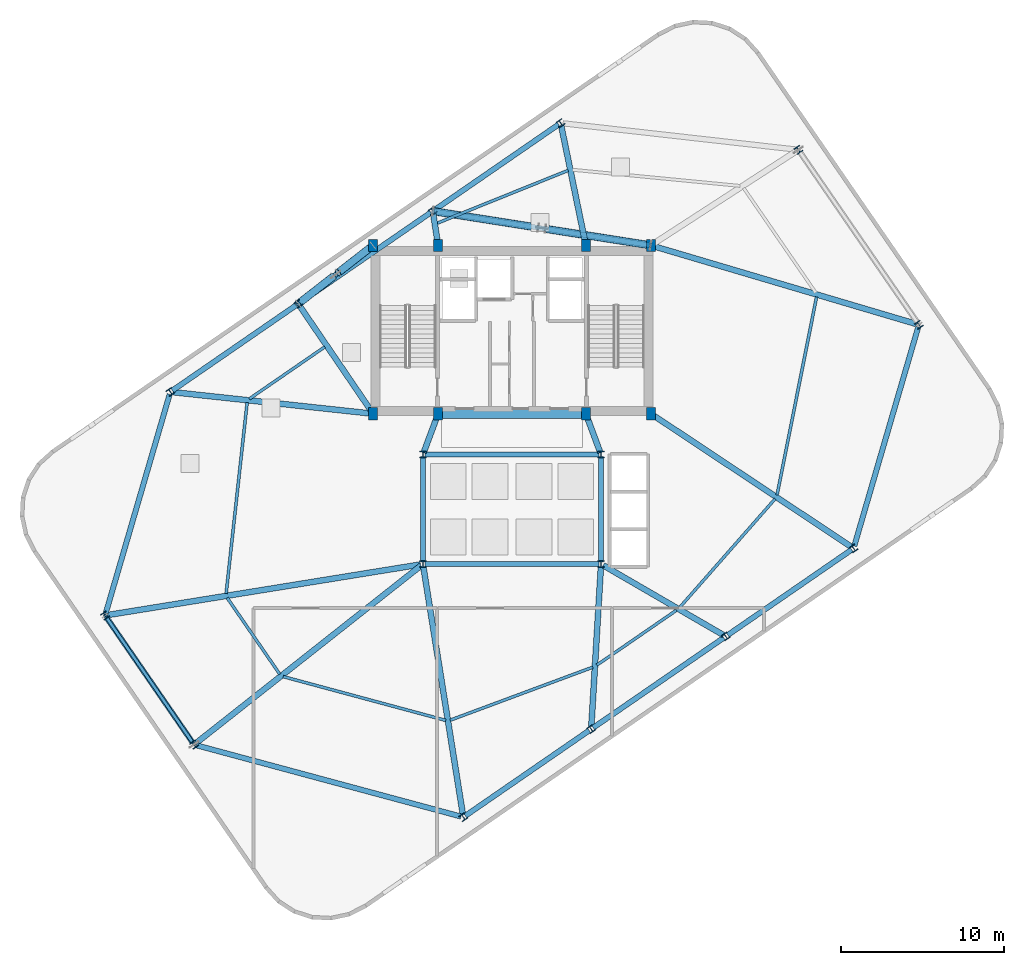
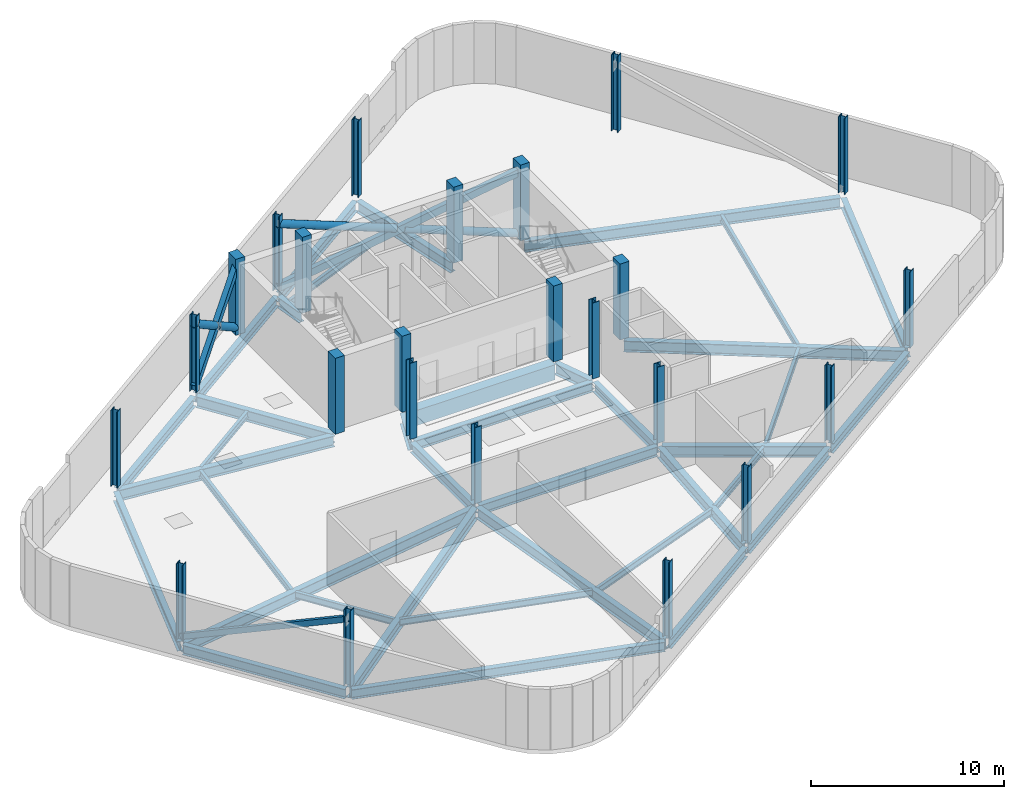
# One storey, part 1 of 9: 37 beams, 24 columns, 7 members.
"""IFC4 building model written with IfcOpenShell, lengths in metres."""

from ifc_helpers import new_model, si_unit, direction, frame, origin, origin_2d, place, context, subcontext, project, spatial, rectangle, hollow_rectangle, hollow_circle, i_section, extrude, material, material_profile, profile_set, type_object, element, save


model = new_model("IFC4")

# Units and contexts
model_context = context("Model", 3, precision=1e-05, world=origin(), true_north=direction((0.0, 1.0)))
body_context = subcontext(model_context, "Body", "Model", "MODEL_VIEW")
ifc_project = project(units=[si_unit("LENGTHUNIT", "METRE"), si_unit("AREAUNIT", "SQUARE_METRE"), si_unit("VOLUMEUNIT", "CUBIC_METRE"), si_unit("PLANEANGLEUNIT", "RADIAN"), si_unit("MASSUNIT", "GRAM", prefix="KILO")], contexts=[model_context])

# Site, building, storey
site_placement = place(None, origin())
site = spatial("IfcSite", under=ifc_project, at=site_placement, CompositionType="ELEMENT")
building_placement = place(site_placement, origin())
building = spatial("IfcBuilding", under=site, at=building_placement, Name="Varnelok Gate Tower", CompositionType="ELEMENT")
storey_placement = place(building_placement, frame((0.0, 0.0, 301.10009765625)))
storey = spatial("IfcBuildingStorey", under=building, at=storey_placement, Name="L77", CompositionType="ELEMENT", Elevation=301.10009765625)

# Columns
ifc_material_1 = material(Name="Concrete C50/60", Category="concrete")
ifc_material_profile_1 = material_profile(ifc_material_1, rectangle(XDim=0.550048828125, YDim=0.75, at=origin_2d()), Name="RC750X550")
ifc_profile_set_1 = profile_set([ifc_material_profile_1], Name="Concrete C50/60")
column_type_1 = type_object("IfcColumnType", Name="COL-RC750X550", PredefinedType="COLUMN", material=ifc_profile_set_1)
for number, where, z_axis, x_axis, name in (
    (1, (30.699951171875, 28.75, 0.0), (0.0, 0.0, 1.0), (1.0, 0.0, 0.0), "L77 Core Spine Column SC1"),
    (2, (34.679931640625, 28.75, 0.0), (0.0, 0.0, 1.0), (1.0, 0.0, 0.0), "L77 Core Spine Column SC2"),
    (3, (43.719970703125, 28.75, 0.0), (0.0, 0.0, 1.0), (1.0, 0.0, 0.0), "L77 Core Spine Column SC3"),
    (4, (47.699951171875, 28.75, 0.0), (0.0, 0.0, 1.0), (1.0, 0.0, 0.0), "L77 Core Spine Column SC4"),
    (5, (30.699951171875, 39.050048828125, 0.0), (0.0, 0.0, 1.0), (1.0, 0.0, 0.0), "L77 Core Spine Column SC5"),
    (6, (34.679931640625, 39.050048828125, 0.0), (0.0, 0.0, 1.0), (1.0, 0.0, 0.0), "L77 Core Spine Column SC6"),
    (7, (43.719970703125, 39.050048828125, 0.0), (0.0, 0.0, 1.0), (1.0, 0.0, 0.0), "L77 Core Spine Column SC7"),
    (8, (47.699951171875, 39.050048828125, 0.0), (0.0, 0.0, 1.0), (1.0, 0.0, 0.0), "L77 Core Spine Column SC8"),
):
    element("IfcColumn", number, at=place(storey_placement, frame(where, z_axis=z_axis, x_axis=x_axis)), inside=storey, type_object=column_type_1, Name=name, PredefinedType="COLUMN", context=body_context, shape_type="SweptSolid", body=[
        extrude(rectangle(XDim=0.550048828125, YDim=0.75, at=origin_2d()), origin(), (0.0, 0.0, 1.0), 4.7998046875),
    ])
ifc_material_2 = material(Name="Structural Steel ASTM A992 Grade 50", Category="steel")
ifc_material_profile_2 = material_profile(ifc_material_2, i_section(OverallWidth=0.40087890625, OverallDepth=0.39892578125, WebThickness=0.02490234375, FlangeThickness=0.03955078125, FilletRadius=0.02197265625, at=origin_2d()), Name="W14X211")
ifc_profile_set_2 = profile_set([ifc_material_profile_2], Name="Structural Steel ASTM A992 Grade 50")
column_type_2 = type_object("IfcColumnType", Name="COL-W14X211", PredefinedType="COLUMN", material=ifc_profile_set_2)
for number, where, z_axis, x_axis, name in (
    (9, (36.2216796875, 4.062744140625, 0.0), (0.0, 0.0, 1.0), (0.823532597628, 0.567268949127, 0.0), "L77 Crown Column CC01"),
    (10, (44.045166015625, 9.451904296875, 0.0), (0.0, 0.0, 1.0), (0.823532597628, 0.567268949127, 0.0), "L77 Crown Column CC02"),
    (11, (52.280517578125, 15.12451171875, 0.0), (0.0, 0.0, 1.0), (0.823532597628, 0.567268949127, 0.0), "L77 Crown Column CC03"),
    (12, (60.10400390625, 20.513671875, 0.0), (0.0, 0.0, 1.0), (0.823532597628, 0.567268949127, 0.0), "L77 Crown Column CC04"),
    (13, (64.0986328125, 34.193603515625, 0.0), (0.0, 0.0, 1.0), (0.823532597628, 0.567268949127, 0.0), "L77 Crown Column CC05"),
    (14, (56.72412109375, 44.899658203125, 0.0), (0.0, 0.0, 1.0), (0.823532597628, 0.567268949127, 0.0), "L77 Crown Column CC06"),
    (15, (42.178466796875, 46.537109375, 0.0), (0.0, 0.0, 1.0), (0.823532597628, 0.567268949127, 0.0), "L77 Crown Column CC07"),
    (16, (34.354736328125, 41.148193359375, 0.0), (0.0, 0.0, 1.0), (0.823532597628, 0.567268949127, 0.0), "L77 Crown Column CC08"),
    (17, (26.119384765625, 35.4755859375, 0.0), (0.0, 0.0, 1.0), (0.823532597628, 0.567268949127, 0.0), "L77 Crown Column CC09"),
    (18, (18.2958984375, 30.08642578125, 0.0), (0.0, 0.0, 1.0), (0.823532597628, 0.567268949127, 0.0), "L77 Crown Column CC10"),
    (19, (14.30126953125, 16.40625, 0.0), (0.0, 0.0, 1.0), (0.823532597628, 0.567268949127, 0.0), "L77 Crown Column CC11"),
    (20, (19.7470703125, 8.50048828125, 0.0), (0.0, 0.0, 1.0), (0.823532597628, 0.567268949127, 0.0), "L77 Crown Column CC12"),
):
    element("IfcColumn", number, at=place(storey_placement, frame(where, z_axis=z_axis, x_axis=x_axis)), inside=storey, type_object=column_type_2, Name=name, PredefinedType="COLUMN", context=body_context, shape_type="SweptSolid", body=[
        extrude(i_section(OverallWidth=0.40087890625, OverallDepth=0.39892578125, WebThickness=0.02490234375, FlangeThickness=0.03955078125, FilletRadius=0.02197265625, at=origin_2d()), origin(), (0.0, 0.0, 1.0), 4.7998046875),
    ])
ifc_material_profile_3 = material_profile(ifc_material_2, i_section(OverallWidth=0.406005859375, OverallDepth=0.416015625, WebThickness=0.02978515625, FlangeThickness=0.048095703125, FilletRadius=0.02490234375, at=origin_2d()), Name="W14X257")
ifc_profile_set_3 = profile_set([ifc_material_profile_3], Name="Structural Steel ASTM A992 Grade 50")
column_type_3 = type_object("IfcColumnType", Name="COL-W14X257", PredefinedType="COLUMN", material=ifc_profile_set_3)
for number, where, z_axis, x_axis, name in (
    (21, (33.75, 19.550048828125, 0.0), (0.0, 0.0, 1.0), (1.0, 0.0, 0.0), "L77 Atrium Spine Column AC1"),
    (22, (44.64990234375, 19.550048828125, 0.0), (0.0, 0.0, 1.0), (1.0, 0.0, 0.0), "L77 Atrium Spine Column AC2"),
    (23, (33.75, 26.25, 0.0), (0.0, 0.0, 1.0), (1.0, 0.0, 0.0), "L77 Atrium Spine Column AC3"),
    (24, (44.64990234375, 26.25, 0.0), (0.0, 0.0, 1.0), (1.0, 0.0, 0.0), "L77 Atrium Spine Column AC4"),
):
    element("IfcColumn", number, at=place(storey_placement, frame(where, z_axis=z_axis, x_axis=x_axis)), inside=storey, type_object=column_type_3, Name=name, PredefinedType="COLUMN", context=body_context, shape_type="SweptSolid", body=[
        extrude(i_section(OverallWidth=0.406005859375, OverallDepth=0.416015625, WebThickness=0.02978515625, FlangeThickness=0.048095703125, FilletRadius=0.02490234375, at=origin_2d()), origin(), (0.0, 0.0, 1.0), 4.7998046875),
    ])

# Beams
ifc_material_profile_4 = material_profile(ifc_material_2, i_section(OverallWidth=0.180908203125, OverallDepth=0.4169921875, WebThickness=0.010986328125, FlangeThickness=0.018310546875, FilletRadius=0.013916015625, at=origin_2d()), Name="W16X57")
ifc_profile_set_4 = profile_set([ifc_material_profile_4], Name="Structural Steel ASTM A992 Grade 50")
beam_type_1 = type_object("IfcBeamType", Name="BM-JST-W16X57", PredefinedType="JOIST", material=ifc_profile_set_4)
beam_1_placement = place(storey_placement, frame((35.41357421875, 9.99658203125, -0.45849609375), z_axis=(0.937381750418, 0.34830368069, 0.0), x_axis=(-0.34830368069, 0.937381750418, 0.0)))
element("IfcBeam", 25, at=beam_1_placement, inside=storey, type_object=beam_type_1, Name="L77 Sector Floor Joist 1", PredefinedType="JOIST", context=body_context, shape_type="SweptSolid", body=[
    extrude(i_section(OverallWidth=0.180908203125, OverallDepth=0.4169921875, WebThickness=0.010986328125, FlangeThickness=0.018310546875, FilletRadius=0.013916015625, at=origin_2d()), origin(), (0.0, 0.0, 1.0), 9.3134765625),
])
beam_2_placement = place(storey_placement, frame((44.390380859375, 13.368408203125, -0.45849609375), z_axis=(0.823515735617, 0.56729342777, 0.0), x_axis=(-0.56729342777, 0.823515735617, 0.0)))
element("IfcBeam", 26, at=beam_2_placement, inside=storey, type_object=beam_type_1, Name="L77 Sector Floor Joist 2", PredefinedType="JOIST", context=body_context, shape_type="SweptSolid", body=[
    extrude(i_section(OverallWidth=0.180908203125, OverallDepth=0.4169921875, WebThickness=0.010986328125, FlangeThickness=0.018310546875, FilletRadius=0.013916015625, at=origin_2d()), origin(), (0.0, 0.0, 1.0), 5.919921875),
])
beam_3_placement = place(storey_placement, frame((49.473388671875, 16.911376953125, -0.45849609375), z_axis=(0.660179897837, 0.751107517265, 0.0), x_axis=(-0.751107517265, 0.660179897837, 0.0)))
element("IfcBeam", 27, at=beam_3_placement, inside=storey, type_object=beam_type_1, Name="L77 Sector Floor Joist 3", PredefinedType="JOIST", context=body_context, shape_type="SweptSolid", body=[
    extrude(i_section(OverallWidth=0.180908203125, OverallDepth=0.4169921875, WebThickness=0.010986328125, FlangeThickness=0.018310546875, FilletRadius=0.013916015625, at=origin_2d()), origin(), (0.0, 0.0, 1.0), 8.822998046875),
])
beam_4_placement = place(storey_placement, frame((55.41796875, 23.78076171875, -0.45849609375), z_axis=(0.195933811204, 0.98061712285, 0.0), x_axis=(-0.98061712285, 0.195933811204, 0.0)))
element("IfcBeam", 28, at=beam_4_placement, inside=storey, type_object=beam_type_1, Name="L77 Sector Floor Joist 4", PredefinedType="JOIST", context=body_context, shape_type="SweptSolid", body=[
    extrude(i_section(OverallWidth=0.180908203125, OverallDepth=0.4169921875, WebThickness=0.010986328125, FlangeThickness=0.018310546875, FilletRadius=0.013916015625, at=origin_2d()), origin(), (0.0, 0.0, 1.0), 12.360595703125),
])
beam_5_placement = place(storey_placement, frame((42.634521484375, 43.6396484375, -0.45849609375), z_axis=(-0.927445890696, -0.373957377025, 0.0), x_axis=(0.373957377025, -0.927445890696, 0.0)))
element("IfcBeam", 29, at=beam_5_placement, inside=storey, type_object=beam_type_1, Name="L77 Sector Floor Joist 7", PredefinedType="JOIST", context=body_context, shape_type="SweptSolid", body=[
    extrude(i_section(OverallWidth=0.180908203125, OverallDepth=0.4169921875, WebThickness=0.010986328125, FlangeThickness=0.018310546875, FilletRadius=0.013916015625, at=origin_2d()), origin(), (0.0, 0.0, 1.0), 8.654296875),
])
beam_6_placement = place(storey_placement, frame((27.744873046875, 32.84033203125, -0.45849609375), z_axis=(-0.823538773735, -0.56725998286, 0.0), x_axis=(0.56725998286, -0.823538773735, 0.0)))
element("IfcBeam", 30, at=beam_6_placement, inside=storey, type_object=beam_type_1, Name="L77 Sector Floor Joist 8", PredefinedType="JOIST", context=body_context, shape_type="SweptSolid", body=[
    extrude(i_section(OverallWidth=0.180908203125, OverallDepth=0.4169921875, WebThickness=0.010986328125, FlangeThickness=0.018310546875, FilletRadius=0.013916015625, at=origin_2d()), origin(), (0.0, 0.0, 1.0), 5.610107421875),
])
beam_7_placement = place(storey_placement, frame((22.994140625, 29.439453125, -0.45849609375), z_axis=(-0.109354620379, -0.994002800299, 0.0), x_axis=(0.994002800299, -0.109354620379, 0.0)))
element("IfcBeam", 31, at=beam_7_placement, inside=storey, type_object=beam_type_1, Name="L77 Sector Floor Joist 9", PredefinedType="JOIST", context=body_context, shape_type="SweptSolid", body=[
    extrude(i_section(OverallWidth=0.180908203125, OverallDepth=0.4169921875, WebThickness=0.010986328125, FlangeThickness=0.018310546875, FilletRadius=0.013916015625, at=origin_2d()), origin(), (0.0, 0.0, 1.0), 11.77001953125),
])
beam_8_placement = place(storey_placement, frame((21.771240234375, 17.485595703125, -0.45849609375), z_axis=(0.567261125932, -0.823537986377, 0.0), x_axis=(0.823537986377, 0.567261125932, 0.0)))
element("IfcBeam", 32, at=beam_8_placement, inside=storey, type_object=beam_type_1, Name="L77 Sector Floor Joist 10", PredefinedType="JOIST", context=body_context, shape_type="SweptSolid", body=[
    extrude(i_section(OverallWidth=0.180908203125, OverallDepth=0.4169921875, WebThickness=0.010986328125, FlangeThickness=0.018310546875, FilletRadius=0.013916015625, at=origin_2d()), origin(), (0.0, 0.0, 1.0), 5.672119140625),
])
beam_9_placement = place(storey_placement, frame((25.203369140625, 12.662841796875, -0.45849609375), z_axis=(0.965584621903, -0.260089096167, 0.0), x_axis=(0.260089096167, 0.965584621903, 0.0)))
element("IfcBeam", 33, at=beam_9_placement, inside=storey, type_object=beam_type_1, Name="L77 Sector Floor Joist 11", PredefinedType="JOIST", context=body_context, shape_type="SweptSolid", body=[
    extrude(i_section(OverallWidth=0.180908203125, OverallDepth=0.4169921875, WebThickness=0.010986328125, FlangeThickness=0.018310546875, FilletRadius=0.013916015625, at=origin_2d()), origin(), (0.0, 0.0, 1.0), 10.29833984375),
])
ifc_material_3 = material(Name="Concrete C60/75", Category="concrete")
ifc_material_profile_5 = material_profile(ifc_material_3, rectangle(XDim=0.60009765625, YDim=0.949951171875, at=origin_2d()), Name="RC950X600")
ifc_profile_set_5 = profile_set([ifc_material_profile_5], Name="Concrete C60/75")
beam_type_2 = type_object("IfcBeamType", Name="BM-LNT-RC950", PredefinedType="LINTEL", material=ifc_profile_set_5)
beam_10_placement = place(storey_placement, frame((34.800048828125, 28.75, -0.72509765625), z_axis=(1.0, 0.0, 0.0), x_axis=(0.0, 1.0, 0.0)))
element("IfcBeam", 34, at=beam_10_placement, inside=storey, type_object=beam_type_2, Name="L77 Core-Atrium Spine Beam 7", PredefinedType="LINTEL", context=body_context, shape_type="SweptSolid", body=[
    extrude(rectangle(XDim=0.60009765625, YDim=0.949951171875, at=origin_2d()), origin(), (0.0, 0.0, 1.0), 8.800048828125),
])
ifc_material_profile_6 = material_profile(ifc_material_2, i_section(OverallWidth=0.35498046875, OverallDepth=0.696044921875, WebThickness=0.015380859375, FlangeThickness=0.02490234375, FilletRadius=0.02001953125, at=origin_2d()), Name="W27X146")
ifc_profile_set_6 = profile_set([ifc_material_profile_6], Name="Structural Steel ASTM A992 Grade 50")
beam_type_3 = type_object("IfcBeamType", Name="BM-PRI-W27X146", PredefinedType="BEAM", material=ifc_profile_set_6)
for number, where, z_axis, x_axis, name in (
    (35, (33.791748046875, 26.362548828125, -0.59814453125), (0.348719329408, 0.937227202602, 0.0), (-0.937227202602, 0.348719329408, 0.0), "L77 Core-Atrium Spine Beam 12"),
    (36, (44.608154296875, 26.362548828125, -0.59814453125), (-0.348719329408, 0.937227202602, 0.0), (-0.937227202602, -0.348719329408, 0.0), "L77 Core-Atrium Spine Beam 13"),
):
    element("IfcBeam", number, at=place(storey_placement, frame(where, z_axis=z_axis, x_axis=x_axis)), inside=storey, type_object=beam_type_3, Name=name, PredefinedType="BEAM", context=body_context, shape_type="SweptSolid", body=[
        extrude(i_section(OverallWidth=0.35498046875, OverallDepth=0.696044921875, WebThickness=0.015380859375, FlangeThickness=0.02490234375, FilletRadius=0.02001953125, at=origin_2d()), origin(), (0.0, 0.0, 1.0), 2.42724609375),
    ])
beam_11_placement = place(storey_placement, frame((33.773681640625, 19.40185546875, -0.59814453125), z_axis=(0.1575955791, -0.987503738448, 0.0), x_axis=(0.987503738448, 0.1575955791, 0.0)))
element("IfcBeam", 37, at=beam_11_placement, inside=storey, type_object=beam_type_3, Name="L77 Radial Floor Girder 1", PredefinedType="BEAM", context=body_context, shape_type="SweptSolid", body=[
    extrude(i_section(OverallWidth=0.35498046875, OverallDepth=0.696044921875, WebThickness=0.015380859375, FlangeThickness=0.02490234375, FilletRadius=0.02001953125, at=origin_2d()), origin(), (0.0, 0.0, 1.0), 15.383056640625),
])
beam_12_placement = place(storey_placement, frame((44.64111328125, 19.400390625, -0.59814453125), z_axis=(-0.059789199361, -0.998211025605, 0.0), x_axis=(0.998211025605, -0.059789199361, 0.0)))
element("IfcBeam", 38, at=beam_12_placement, inside=storey, type_object=beam_type_3, Name="L77 Radial Floor Girder 2", PredefinedType="BEAM", context=body_context, shape_type="SweptSolid", body=[
    extrude(i_section(OverallWidth=0.35498046875, OverallDepth=0.696044921875, WebThickness=0.015380859375, FlangeThickness=0.02490234375, FilletRadius=0.02001953125, at=origin_2d()), origin(), (0.0, 0.0, 1.0), 9.81640625),
])
beam_13_placement = place(storey_placement, frame((44.77978515625, 19.474609375, -0.59814453125), z_axis=(0.865040888509, -0.501701366559, 0.0), x_axis=(0.501701366559, 0.865040888509, 0.0)))
element("IfcBeam", 39, at=beam_13_placement, inside=storey, type_object=beam_type_3, Name="L77 Radial Floor Girder 3", PredefinedType="BEAM", context=body_context, shape_type="SweptSolid", body=[
    extrude(i_section(OverallWidth=0.35498046875, OverallDepth=0.696044921875, WebThickness=0.015380859375, FlangeThickness=0.02490234375, FilletRadius=0.02001953125, at=origin_2d()), origin(), (0.0, 0.0, 1.0), 8.520751953125),
])
beam_14_placement = place(storey_placement, frame((47.824951171875, 28.6669921875, -0.59814453125), z_axis=(0.833073516388, -0.553162287482, 0.0), x_axis=(0.553162287482, 0.833073516388, 0.0)))
element("IfcBeam", 40, at=beam_14_placement, inside=storey, type_object=beam_type_3, Name="L77 Radial Floor Girder 4", PredefinedType="BEAM", context=body_context, shape_type="SweptSolid", body=[
    extrude(i_section(OverallWidth=0.35498046875, OverallDepth=0.696044921875, WebThickness=0.015380859375, FlangeThickness=0.02490234375, FilletRadius=0.02001953125, at=origin_2d()), origin(), (0.0, 0.0, 1.0), 14.58935546875),
])
beam_15_placement = place(storey_placement, frame((47.84375, 39.00732421875, -0.59814453125), z_axis=(0.958841196599, -0.283942881059, 0.0), x_axis=(0.283942881059, 0.958841196599, 0.0)))
element("IfcBeam", 41, at=beam_15_placement, inside=storey, type_object=beam_type_3, Name="L77 Radial Floor Girder 5", PredefinedType="BEAM", context=body_context, shape_type="SweptSolid", body=[
    extrude(i_section(OverallWidth=0.35498046875, OverallDepth=0.696044921875, WebThickness=0.015380859375, FlangeThickness=0.02490234375, FilletRadius=0.02001953125, at=origin_2d()), origin(), (0.0, 0.0, 1.0), 16.802734375),
])
beam_16_placement = place(storey_placement, frame((43.689697265625, 39.197021484375, -0.59814453125), z_axis=(-0.201649168815, 0.97945781569, 0.0), x_axis=(-0.97945781569, -0.201649168815, 0.0)))
element("IfcBeam", 42, at=beam_16_placement, inside=storey, type_object=beam_type_3, Name="L77 Radial Floor Girder 7", PredefinedType="BEAM", context=body_context, shape_type="SweptSolid", body=[
    extrude(i_section(OverallWidth=0.35498046875, OverallDepth=0.696044921875, WebThickness=0.015380859375, FlangeThickness=0.02490234375, FilletRadius=0.02001953125, at=origin_2d()), origin(), (0.0, 0.0, 1.0), 7.34423828125),
])
beam_17_placement = place(storey_placement, frame((34.656982421875, 39.1982421875, -0.59814453125), z_axis=(-0.15318403046, 0.988197679016, 0.0), x_axis=(-0.988197679016, -0.15318403046, 0.0)))
element("IfcBeam", 43, at=beam_17_placement, inside=storey, type_object=beam_type_3, Name="L77 Radial Floor Girder 8", PredefinedType="BEAM", context=body_context, shape_type="SweptSolid", body=[
    extrude(i_section(OverallWidth=0.35498046875, OverallDepth=0.696044921875, WebThickness=0.015380859375, FlangeThickness=0.02490234375, FilletRadius=0.02001953125, at=origin_2d()), origin(), (0.0, 0.0, 1.0), 1.8232421875),
])
beam_18_placement = place(storey_placement, frame((30.615478515625, 28.8740234375, -0.59814453125), z_axis=(-0.56291143467, 0.826517221066, 0.0), x_axis=(-0.826517221066, -0.56291143467, 0.0)))
element("IfcBeam", 44, at=beam_18_placement, inside=storey, type_object=beam_type_3, Name="L77 Radial Floor Girder 9", PredefinedType="BEAM", context=body_context, shape_type="SweptSolid", body=[
    extrude(i_section(OverallWidth=0.35498046875, OverallDepth=0.696044921875, WebThickness=0.015380859375, FlangeThickness=0.02490234375, FilletRadius=0.02001953125, at=origin_2d()), origin(), (0.0, 0.0, 1.0), 7.837158203125),
])
beam_19_placement = place(storey_placement, frame((30.55078125, 28.76611328125, -0.59814453125), z_axis=(-0.994246705961, 0.107114367314, 0.0), x_axis=(-0.107114367314, -0.994246705961, 0.0)))
element("IfcBeam", 45, at=beam_19_placement, inside=storey, type_object=beam_type_3, Name="L77 Radial Floor Girder 10", PredefinedType="BEAM", context=body_context, shape_type="SweptSolid", body=[
    extrude(i_section(OverallWidth=0.35498046875, OverallDepth=0.696044921875, WebThickness=0.015380859375, FlangeThickness=0.02490234375, FilletRadius=0.02001953125, at=origin_2d()), origin(), (0.0, 0.0, 1.0), 12.17578125),
])
beam_20_placement = place(storey_placement, frame((33.601806640625, 19.526123046875, -0.59814453125), z_axis=(-0.987185479343, -0.159577032729, 0.0), x_axis=(0.159577032729, -0.987185479343, 0.0)))
element("IfcBeam", 46, at=beam_20_placement, inside=storey, type_object=beam_type_3, Name="L77 Radial Floor Girder 11", PredefinedType="BEAM", context=body_context, shape_type="SweptSolid", body=[
    extrude(i_section(OverallWidth=0.35498046875, OverallDepth=0.696044921875, WebThickness=0.015380859375, FlangeThickness=0.02490234375, FilletRadius=0.02001953125, at=origin_2d()), origin(), (0.0, 0.0, 1.0), 19.40087890625),
])
beam_21_placement = place(storey_placement, frame((33.632080078125, 19.45703125, -0.59814453125), z_axis=(-0.785021008542, -0.619469140594, 0.0), x_axis=(0.619469140594, -0.785021008542, 0.0)))
element("IfcBeam", 47, at=beam_21_placement, inside=storey, type_object=beam_type_3, Name="L77 Radial Floor Girder 12", PredefinedType="BEAM", context=body_context, shape_type="SweptSolid", body=[
    extrude(i_section(OverallWidth=0.35498046875, OverallDepth=0.696044921875, WebThickness=0.015380859375, FlangeThickness=0.02490234375, FilletRadius=0.02001953125, at=origin_2d()), origin(), (0.0, 0.0, 1.0), 17.537109375),
])
ifc_material_profile_7 = material_profile(ifc_material_2, i_section(OverallWidth=0.323974609375, OverallDepth=0.611083984375, WebThickness=0.0126953125, FlangeThickness=0.01904296875, FilletRadius=0.01806640625, at=origin_2d()), Name="W24X104")
ifc_profile_set_7 = profile_set([ifc_material_profile_7], Name="Structural Steel ASTM A992 Grade 50")
beam_type_4 = type_object("IfcBeamType", Name="BM-SPN-W24X104", PredefinedType="SPANDREL", material=ifc_profile_set_7)
for number, where, z_axis, x_axis, name in (
    (48, (33.8701171875, 19.550048828125, -0.5556640625), (1.0, 0.0, 0.0), (0.0, 1.0, 0.0), "L77 Core-Atrium Spine Beam 8"),
    (49, (33.8701171875, 26.25, -0.5556640625), (1.0, 0.0, 0.0), (0.0, 1.0, 0.0), "L77 Core-Atrium Spine Beam 9"),
):
    element("IfcBeam", number, at=place(storey_placement, frame(where, z_axis=z_axis, x_axis=x_axis)), inside=storey, type_object=beam_type_4, Name=name, PredefinedType="SPANDREL", context=body_context, shape_type="SweptSolid", body=[
        extrude(i_section(OverallWidth=0.323974609375, OverallDepth=0.611083984375, WebThickness=0.0126953125, FlangeThickness=0.01904296875, FilletRadius=0.01806640625, at=origin_2d()), origin(), (0.0, 0.0, 1.0), 10.659912109375),
    ])
for number, where, z_axis, x_axis, name in (
    (50, (33.75, 19.669921875, -0.5556640625), (0.0, 1.0, 0.0), (-1.0, 0.0, 0.0), "L77 Core-Atrium Spine Beam 10"),
    (51, (44.64990234375, 19.669921875, -0.5556640625), (0.0, 1.0, 0.0), (-1.0, 0.0, 0.0), "L77 Core-Atrium Spine Beam 11"),
):
    element("IfcBeam", number, at=place(storey_placement, frame(where, z_axis=z_axis, x_axis=x_axis)), inside=storey, type_object=beam_type_4, Name=name, PredefinedType="SPANDREL", context=body_context, shape_type="SweptSolid", body=[
        extrude(i_section(OverallWidth=0.323974609375, OverallDepth=0.611083984375, WebThickness=0.0126953125, FlangeThickness=0.01904296875, FilletRadius=0.01806640625, at=origin_2d()), origin(), (0.0, 0.0, 1.0), 6.4599609375),
    ])
beam_22_placement = place(storey_placement, frame((36.34521484375, 4.14794921875, -0.5556640625), z_axis=(0.823535977075, 0.567264042985, 0.0), x_axis=(-0.567264042985, 0.823535977075, 0.0)))
element("IfcBeam", 52, at=beam_22_placement, inside=storey, type_object=beam_type_4, Name="L77 Perimeter Spandrel Beam 1", PredefinedType="SPANDREL", context=body_context, shape_type="SweptSolid", body=[
    extrude(i_section(OverallWidth=0.323974609375, OverallDepth=0.611083984375, WebThickness=0.0126953125, FlangeThickness=0.01904296875, FilletRadius=0.01806640625, at=origin_2d()), origin(), (0.0, 0.0, 1.0), 9.199951171875),
])
beam_23_placement = place(storey_placement, frame((44.168701171875, 9.536865234375, -0.5556640625), z_axis=(0.823536343083, 0.567263511626, 0.0), x_axis=(-0.567263511626, 0.823536343083, 0.0)))
element("IfcBeam", 53, at=beam_23_placement, inside=storey, type_object=beam_type_4, Name="L77 Perimeter Spandrel Beam 2", PredefinedType="SPANDREL", context=body_context, shape_type="SweptSolid", body=[
    extrude(i_section(OverallWidth=0.323974609375, OverallDepth=0.611083984375, WebThickness=0.0126953125, FlangeThickness=0.01904296875, FilletRadius=0.01806640625, at=origin_2d()), origin(), (0.0, 0.0, 1.0), 9.699951171875),
])
beam_24_placement = place(storey_placement, frame((52.404052734375, 15.209716796875, -0.5556640625), z_axis=(0.823544516234, 0.567251645905, 0.0), x_axis=(-0.567251645905, 0.823544516234, 0.0)))
element("IfcBeam", 54, at=beam_24_placement, inside=storey, type_object=beam_type_4, Name="L77 Perimeter Spandrel Beam 3", PredefinedType="SPANDREL", context=body_context, shape_type="SweptSolid", body=[
    extrude(i_section(OverallWidth=0.323974609375, OverallDepth=0.611083984375, WebThickness=0.0126953125, FlangeThickness=0.01904296875, FilletRadius=0.01806640625, at=origin_2d()), origin(), (0.0, 0.0, 1.0), 9.199951171875),
])
beam_25_placement = place(storey_placement, frame((60.14599609375, 20.65771484375, -0.5556640625), z_axis=(0.280305063046, 0.959910970679, 0.0), x_axis=(-0.959910970679, 0.280305063046, 0.0)))
element("IfcBeam", 55, at=beam_25_placement, inside=storey, type_object=beam_type_4, Name="L77 Perimeter Spandrel Beam 4", PredefinedType="SPANDREL", context=body_context, shape_type="SweptSolid", body=[
    extrude(i_section(OverallWidth=0.323974609375, OverallDepth=0.611083984375, WebThickness=0.0126953125, FlangeThickness=0.01904296875, FilletRadius=0.01806640625, at=origin_2d()), origin(), (0.0, 0.0, 1.0), 13.951416015625),
])
beam_26_placement = place(storey_placement, frame((42.054931640625, 46.4521484375, -0.5556640625), z_axis=(-0.823544516234, -0.567251645905, 0.0), x_axis=(0.567251645905, -0.823544516234, 0.0)))
element("IfcBeam", 56, at=beam_26_placement, inside=storey, type_object=beam_type_4, Name="L77 Perimeter Spandrel Beam 7", PredefinedType="SPANDREL", context=body_context, shape_type="SweptSolid", body=[
    extrude(i_section(OverallWidth=0.323974609375, OverallDepth=0.611083984375, WebThickness=0.0126953125, FlangeThickness=0.01904296875, FilletRadius=0.01806640625, at=origin_2d()), origin(), (0.0, 0.0, 1.0), 9.199951171875),
])
beam_27_placement = place(storey_placement, frame((34.231201171875, 41.06298828125, -0.5556640625), z_axis=(-0.823536343083, -0.567263511626, 0.0), x_axis=(0.567263511626, -0.823536343083, 0.0)))
element("IfcBeam", 57, at=beam_27_placement, inside=storey, type_object=beam_type_4, Name="L77 Perimeter Spandrel Beam 8", PredefinedType="SPANDREL", context=body_context, shape_type="SweptSolid", body=[
    extrude(i_section(OverallWidth=0.323974609375, OverallDepth=0.611083984375, WebThickness=0.0126953125, FlangeThickness=0.01904296875, FilletRadius=0.01806640625, at=origin_2d()), origin(), (0.0, 0.0, 1.0), 9.699951171875),
])
beam_28_placement = place(storey_placement, frame((25.99609375, 35.390380859375, -0.5556640625), z_axis=(-0.82353211935, -0.567269643467, 0.0), x_axis=(0.567269643467, -0.82353211935, 0.0)))
element("IfcBeam", 58, at=beam_28_placement, inside=storey, type_object=beam_type_4, Name="L77 Perimeter Spandrel Beam 9", PredefinedType="SPANDREL", context=body_context, shape_type="SweptSolid", body=[
    extrude(i_section(OverallWidth=0.323974609375, OverallDepth=0.611083984375, WebThickness=0.0126953125, FlangeThickness=0.01904296875, FilletRadius=0.01806640625, at=origin_2d()), origin(), (0.0, 0.0, 1.0), 9.2001953125),
])
beam_29_placement = place(storey_placement, frame((18.25390625, 29.9423828125, -0.5556640625), z_axis=(-0.280305063046, -0.959910970679, 0.0), x_axis=(0.959910970679, -0.280305063046, 0.0)))
element("IfcBeam", 59, at=beam_29_placement, inside=storey, type_object=beam_type_4, Name="L77 Perimeter Spandrel Beam 10", PredefinedType="SPANDREL", context=body_context, shape_type="SweptSolid", body=[
    extrude(i_section(OverallWidth=0.323974609375, OverallDepth=0.611083984375, WebThickness=0.0126953125, FlangeThickness=0.01904296875, FilletRadius=0.01806640625, at=origin_2d()), origin(), (0.0, 0.0, 1.0), 13.951416015625),
])
beam_30_placement = place(storey_placement, frame((14.386474609375, 16.28271484375, -0.5556640625), z_axis=(0.567267256345, -0.823533763654, 0.0), x_axis=(0.823533763654, 0.567267256345, 0.0)))
element("IfcBeam", 60, at=beam_30_placement, inside=storey, type_object=beam_type_4, Name="L77 Perimeter Spandrel Beam 11", PredefinedType="SPANDREL", context=body_context, shape_type="SweptSolid", body=[
    extrude(i_section(OverallWidth=0.323974609375, OverallDepth=0.611083984375, WebThickness=0.0126953125, FlangeThickness=0.01904296875, FilletRadius=0.01806640625, at=origin_2d()), origin(), (0.0, 0.0, 1.0), 9.300048828125),
])
beam_31_placement = place(storey_placement, frame((19.891845703125, 8.46142578125, -0.5556640625), z_axis=(0.965584250457, -0.260090475162, 0.0), x_axis=(0.260090475162, 0.965584250457, 0.0)))
element("IfcBeam", 61, at=beam_31_placement, inside=storey, type_object=beam_type_4, Name="L77 Perimeter Spandrel Beam 12", PredefinedType="SPANDREL", context=body_context, shape_type="SweptSolid", body=[
    extrude(i_section(OverallWidth=0.323974609375, OverallDepth=0.611083984375, WebThickness=0.0126953125, FlangeThickness=0.01904296875, FilletRadius=0.01806640625, at=origin_2d()), origin(), (0.0, 0.0, 1.0), 16.761962890625),
])

# Members
ifc_material_4 = material(Name="Structural Steel ASTM A500 Grade C", Category="steel")
ifc_material_profile_8 = material_profile(ifc_material_4, hollow_rectangle(XDim=0.199951171875, YDim=0.35009765625, WallThickness=0.012451171875, at=origin_2d()), Name="HSS350X200X12")
ifc_profile_set_8 = profile_set([ifc_material_profile_8], Name="Structural Steel ASTM A500 Grade C")
member_type_1 = type_object("IfcMemberType", Name="MEM-BLT-BRACE2", PredefinedType="BRACE", material=ifc_profile_set_8)
member_1_placement = place(storey_placement, frame((14.30126953125, 16.40625, 0.199951171875), z_axis=(0.523639980906, -0.760177076199, 0.384619270473), x_axis=(0.823526610383, 0.567277641011, 0.0)))
element("IfcMember", 62, at=member_1_placement, inside=storey, type_object=member_type_1, Name="L77 Belt Truss Diagonal Brace 2", PredefinedType="BRACE", context=body_context, shape_type="SweptSolid", body=[
    extrude(hollow_rectangle(XDim=0.199951171875, YDim=0.35009765625, WallThickness=0.012451171875, at=origin_2d()), origin(), (0.0, 0.0, 1.0), 10.39990234375),
])
ifc_material_profile_9 = material_profile(ifc_material_4, hollow_rectangle(XDim=0.300048828125, YDim=0.449951171875, WallThickness=0.01611328125, at=origin_2d()), Name="HSS450X300X16")
ifc_profile_set_9 = profile_set([ifc_material_profile_9], Name="Structural Steel ASTM A500 Grade C")
member_type_2 = type_object("IfcMemberType", Name="MEM-OUT-BRACE2", PredefinedType="BRACE", material=ifc_profile_set_9)
member_2_placement = place(storey_placement, frame((26.119384765625, 35.4755859375, 0.199951171875), z_axis=(0.649360841187, 0.506731269364, 0.567057244537), x_axis=(-0.615205253383, 0.788366980669, 0.0)))
element("IfcMember", 63, at=member_2_placement, inside=storey, type_object=member_type_2, Name="L77 Plant Outrigger Diagonal 1", PredefinedType="BRACE", context=body_context, shape_type="SweptSolid", body=[
    extrude(hollow_rectangle(XDim=0.300048828125, YDim=0.449951171875, WallThickness=0.01611328125, at=origin_2d()), origin(), (0.0, 0.0, 1.0), 7.053955078125),
])
member_3_placement = place(storey_placement, frame((34.354736328125, 41.148193359375, 0.199951171875), z_axis=(0.947215136156, -0.148921863088, 0.2839115435), x_axis=(0.155312915626, 0.987865323938, 0.0)))
element("IfcMember", 64, at=member_3_placement, inside=storey, type_object=member_type_2, Name="L77 Plant Outrigger Diagonal 2", PredefinedType="BRACE", context=body_context, shape_type="SweptSolid", body=[
    extrude(hollow_rectangle(XDim=0.300048828125, YDim=0.449951171875, WallThickness=0.01611328125, at=origin_2d()), origin(), (0.0, 0.0, 1.0), 14.0888671875),
])
ifc_material_profile_10 = material_profile(ifc_material_4, hollow_circle(Radius=0.228515625, WallThickness=0.02001953125, at=origin_2d()), Name="CHS457X20")
ifc_profile_set_10 = profile_set([ifc_material_profile_10], Name="Structural Steel ASTM A500 Grade C")
member_type_3 = type_object("IfcMemberType", Name="MEM-TRUSS-DIAG", PredefinedType="BRACE", material=ifc_profile_set_10)
member_4_placement = place(storey_placement, frame((30.699951171875, 39.050048828125, 0.199951171875), z_axis=(-0.649364643126, -0.506734755618, 0.567049775335), x_axis=(0.615205645301, -0.788366674835, 0.0)))
element("IfcMember", 65, at=member_4_placement, inside=storey, type_object=member_type_3, Name="L77 Plant Outrigger Counter-Diagonal 1A", PredefinedType="BRACE", context=body_context, shape_type="SweptSolid", body=[
    extrude(hollow_circle(Radius=0.228515625, WallThickness=0.02001953125, at=origin_2d()), origin(), (0.0, 0.0, 1.0), 3.30712890625),
])
member_5_placement = place(storey_placement, frame((28.266845703125, 37.151123046875, 2.32470703125), z_axis=(-0.649388935249, -0.506679884335, 0.567070988136), x_axis=(0.615149935004, -0.78841014546, 0.0)))
element("IfcMember", 66, at=member_5_placement, inside=storey, type_object=member_type_3, Name="L77 Plant Outrigger Counter-Diagonal 1B", PredefinedType="BRACE", context=body_context, shape_type="SweptSolid", body=[
    extrude(hollow_circle(Radius=0.228515625, WallThickness=0.02001953125, at=origin_2d()), origin(), (0.0, 0.0, 1.0), 3.306884765625),
])
member_6_placement = place(storey_placement, frame((47.699951171875, 39.050048828125, 0.199951171875), z_axis=(-0.947214061523, 0.148931228543, 0.283910216121), x_axis=(-0.155322619337, -0.987863798265, 0.0)))
element("IfcMember", 67, at=member_6_placement, inside=storey, type_object=member_type_3, Name="L77 Plant Outrigger Counter-Diagonal 2A", PredefinedType="BRACE", context=body_context, shape_type="SweptSolid", body=[
    extrude(hollow_circle(Radius=0.228515625, WallThickness=0.02001953125, at=origin_2d()), origin(), (0.0, 0.0, 1.0), 6.82421875),
])
member_7_placement = place(storey_placement, frame((40.819091796875, 40.1318359375, 2.262451171875), z_axis=(-0.947217738486, 0.148926181937, 0.283900595688), x_axis=(-0.155316894748, -0.98786469833, 0.0)))
element("IfcMember", 68, at=member_7_placement, inside=storey, type_object=member_type_3, Name="L77 Plant Outrigger Counter-Diagonal 2B", PredefinedType="BRACE", context=body_context, shape_type="SweptSolid", body=[
    extrude(hollow_circle(Radius=0.228515625, WallThickness=0.02001953125, at=origin_2d()), origin(), (0.0, 0.0, 1.0), 6.824462890625),
])

save(model, "model.ifc")
